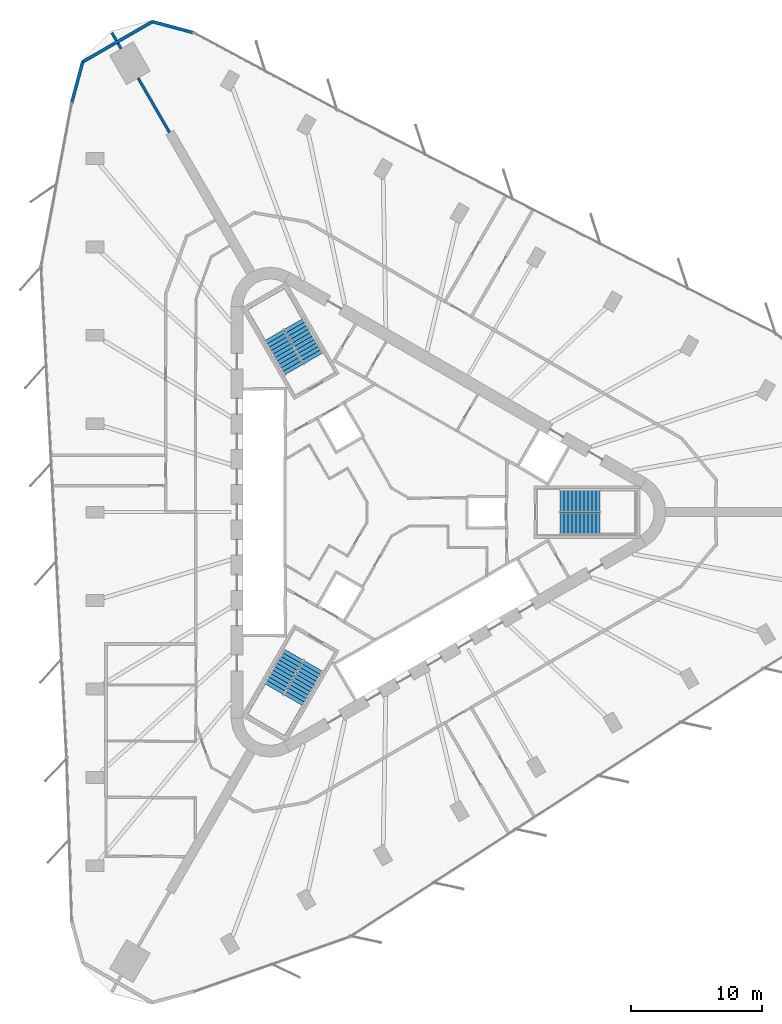
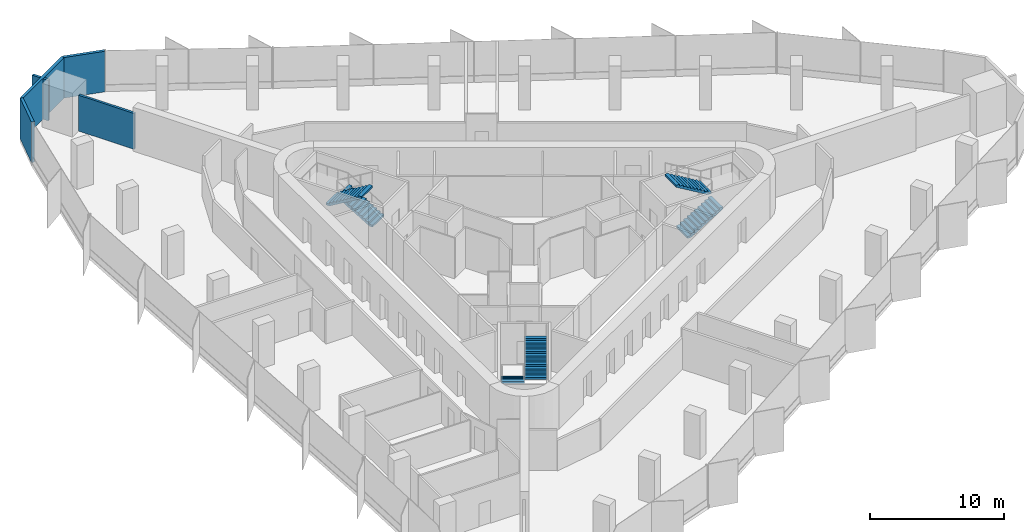
# One storey, part 12 of 13: 6 stair flights, 6 walls, 3 elements without a shape of their own.
"""IFC4 building model written with IfcOpenShell, lengths in metres."""

from ifc_helpers import new_model, si_unit, direction, frame, frame_2d, origin, place, context, subcontext, project, spatial, polyline, rectangle, outline, extrude, material, layer, layer_set, type_object, element, aggregate, save


model = new_model("IFC4")

# Units and contexts
model_context = context("Model", 3, precision=1e-05, world=origin(), true_north=direction((0.0, 1.0)))
body_context = subcontext(model_context, "Body", "Model", "MODEL_VIEW")
ifc_project = project(units=[si_unit("LENGTHUNIT", "METRE"), si_unit("AREAUNIT", "SQUARE_METRE"), si_unit("VOLUMEUNIT", "CUBIC_METRE"), si_unit("PLANEANGLEUNIT", "RADIAN"), si_unit("MASSUNIT", "GRAM", prefix="KILO")], contexts=[model_context])

# Site, building, storey
site_placement = place(None, origin())
site = spatial("IfcSite", under=ifc_project, at=site_placement, CompositionType="ELEMENT")
building_placement = place(site_placement, origin())
building = spatial("IfcBuilding", under=site, at=building_placement, Name="Tanit Gate Tower", CompositionType="ELEMENT")
storey_placement = place(building_placement, frame((0.0, 0.0, 173.199951171875)))
storey = spatial("IfcBuildingStorey", under=building, at=storey_placement, Name="L37", CompositionType="ELEMENT", Elevation=173.199951171875)

# Walls
ifc_material_1 = material(Name="Concrete C30/37 with bronze anodised aluminium cladding", Category="concrete")
ifc_layer_1 = layer(ifc_material_1, 0.239990234375)
ifc_layer_set_1 = layer_set([ifc_layer_1], Name="Facade wall bronze clad 240")
wall_type_1 = type_object("IfcWallType", Name="Facade wall bronze clad 240", PredefinedType="SOLIDWALL", material=ifc_layer_set_1)
wall_1_placement = place(storey_placement, frame((-15.01953125, 36.7353515625, 0.0), z_axis=(0.0, 0.0, 1.0), x_axis=(-0.965921607741, 0.258834788424, 0.0)))
element("IfcWall", 1, at=wall_1_placement, inside=storey, type_object=wall_type_1, Name="Bronze-clad facade wall L37 NW.arc1", PredefinedType="SOLIDWALL", context=body_context, shape_type="SweptSolid", body=[
    extrude(rectangle(XDim=3.214599609375, YDim=0.239990234375, at=frame_2d((1.607421875, 0.0))), origin(), (0.0, 0.0, 1.0), 3.699951171875),
])
wall_2_placement = place(storey_placement, frame((-18.12451171875, 37.5673828125, 0.0), z_axis=(0.0, 0.0, 1.0), x_axis=(-0.866030202489, -0.499991688307, 0.0)))
element("IfcWall", 2, at=wall_2_placement, inside=storey, type_object=wall_type_1, Name="Bronze-clad facade wall L37 NW.arc2", PredefinedType="SOLIDWALL", context=body_context, shape_type="SweptSolid", body=[
    extrude(rectangle(XDim=6.1748046875, YDim=0.239990234375, at=frame_2d((3.08740234375, 0.0))), origin(), (0.0, 0.0, 1.0), 3.699951171875),
])
wall_3_placement = place(storey_placement, frame((-23.47216796875, 34.47998046875, 0.0), z_axis=(0.0, 0.0, 1.0), x_axis=(-0.258770153522, -0.965938925423, 0.0)))
element("IfcWall", 3, at=wall_3_placement, inside=storey, type_object=wall_type_1, Name="Bronze-clad facade wall L37 NW.arc3", PredefinedType="SOLIDWALL", context=body_context, shape_type="SweptSolid", body=[
    extrude(rectangle(XDim=3.223876953125, YDim=0.239990234375, at=frame_2d((1.61181640625, 0.0))), origin(), (0.0, 0.0, 1.0), 3.699951171875),
])
ifc_material_2 = material(Name="Fire-rated gypsum board partition")
ifc_layer_2 = layer(ifc_material_2, 0.199951171875)
ifc_layer_set_2 = layer_set([ifc_layer_2], Name="INT-WALL-COMPARTMENT")
wall_type_2 = type_object("IfcWallType", Name="INT-WALL-COMPARTMENT", PredefinedType="PARTITIONING", material=ifc_layer_set_2)
wall_4_placement = place(storey_placement, frame((-16.8173828125, 29.068359375, 0.0), z_axis=(0.0, 0.0, 1.0), x_axis=(-0.499988695522, 0.866031930329, 0.0)))
element("IfcWall", 4, at=wall_4_placement, inside=storey, type_object=wall_type_2, Name="Wall Compartment W122", PredefinedType="PARTITIONING", context=body_context, shape_type="SweptSolid", body=[
    extrude(rectangle(XDim=4.8154296875, YDim=0.199951171875, at=frame_2d((2.40771484375, 0.0))), origin(), (0.0, 0.0, 1.0), 3.27001953125),
])
wall_5_placement = place(storey_placement, frame((-20.52490234375, 35.490234375, 0.0), z_axis=(0.0, 0.0, 1.0), x_axis=(-0.499869636591, 0.866100656052, 0.0)))
element("IfcWall", 5, at=wall_5_placement, inside=storey, type_object=wall_type_2, Name="Wall Compartment W121", PredefinedType="PARTITIONING", context=body_context, shape_type="SweptSolid", body=[
    extrude(rectangle(XDim=0.478759765625, YDim=0.199951171875, at=frame_2d((0.2392578125, 0.0))), origin(), (0.0, 0.0, 1.0), 3.699951171875),
])
wall_6_placement = place(storey_placement, frame((-20.88427734375, 36.112548828125, 0.0), z_axis=(0.0, 0.0, 1.0), x_axis=(-0.49989369433, 0.866086770693, 0.0)))
element("IfcWall", 6, at=wall_6_placement, inside=storey, type_object=wall_type_2, Name="Wall Compartment W121x1", PredefinedType="PARTITIONING", context=body_context, shape_type="SweptSolid", body=[
    extrude(rectangle(XDim=0.699462890625, YDim=0.199951171875, at=frame_2d((0.349609375, 0.0))), origin(), (0.0, 0.0, 1.0), 3.699951171875),
])

# Stair, stair flights
ifc_material_3 = material(Name="Concrete C40/50", Category="concrete")
stair_type = type_object("IfcStairType", Name="INT-STAIR-EXIT", PredefinedType="HALF_TURN_STAIR", material=ifc_material_3)
stair_1_placement = place(storey_placement, origin())
stair_1 = element("IfcStair", 7, at=stair_1_placement, inside=storey, type_object=stair_type, Name="L37 STAIR S1", PredefinedType="HALF_TURN_STAIR")
ifc_material_4 = material(Name="Concrete C40/50", Category="concrete")
stair_flight_type = type_object("IfcStairFlightType", Name="INT-STAIR-FLIGHT", PredefinedType="STRAIGHT", material=ifc_material_4)
stair_flight_1_placement = place(storey_placement, frame((13.094970703125, -0.8525390625, 0.0), z_axis=(0.0, 0.0, 1.0), x_axis=(1.0, 0.0, 0.0)))
stair_flight_1 = element("IfcStairFlight", 8, at=stair_flight_1_placement, type_object=stair_flight_type, Name="S1 flight 1", NumberOfRisers=11, NumberOfTreads=10, PredefinedType="STRAIGHT", RiserHeight=0.181818182, TreadLength=0.3051, context=body_context, shape_type="SweptSolid", body=[
    extrude(outline(polyline([(0.0, 0.0), (0.0, 0.181884765625), (0.30517578125, 0.181884765625), (0.30517578125, 0.363525390625), (0.610107421875, 0.363525390625), (0.610107421875, 0.54541015625), (0.915283203125, 0.54541015625), (0.915283203125, 0.727294921875), (1.220458984375, 0.727294921875), (1.220458984375, 0.9091796875), (1.525390625, 0.9091796875), (1.525390625, 1.0908203125), (1.83056640625, 1.0908203125), (1.83056640625, 1.272705078125), (2.1357421875, 1.272705078125), (2.1357421875, 1.45458984375), (2.44091796875, 1.45458984375), (2.44091796875, 1.636474609375), (2.745849609375, 1.636474609375), (2.745849609375, 1.818115234375), (3.051025390625, 1.818115234375), (3.051025390625, 2.0), (3.051025390625, 1.643798828125), (0.292724609375, 0.0), (0.0, 0.0)])), frame((0.0, 0.84765625, 0.0), z_axis=(0.0, -1.0, 0.0), x_axis=(1.0, 0.0, 0.0)), (0.0, 0.0, 1.0), 1.695068359375),
])
stair_flight_2_placement = place(storey_placement, frame((16.14599609375, 0.8525390625, 2.0), z_axis=(0.0, 0.0, 1.0), x_axis=(-1.0, 0.0, 0.0)))
stair_flight_2 = element("IfcStairFlight", 9, at=stair_flight_2_placement, type_object=stair_flight_type, Name="S1 flight 2", NumberOfRisers=11, NumberOfTreads=10, PredefinedType="STRAIGHT", RiserHeight=0.181818182, TreadLength=0.3051, context=body_context, shape_type="SweptSolid", body=[
    extrude(outline(polyline([(0.0, 0.0), (0.0, 0.181884765625), (0.30517578125, 0.181884765625), (0.30517578125, 0.363525390625), (0.610107421875, 0.363525390625), (0.610107421875, 0.54541015625), (0.915283203125, 0.54541015625), (0.915283203125, 0.727294921875), (1.220458984375, 0.727294921875), (1.220458984375, 0.9091796875), (1.525390625, 0.9091796875), (1.525390625, 1.0908203125), (1.83056640625, 1.0908203125), (1.83056640625, 1.272705078125), (2.1357421875, 1.272705078125), (2.1357421875, 1.45458984375), (2.44091796875, 1.45458984375), (2.44091796875, 1.636474609375), (2.745849609375, 1.636474609375), (2.745849609375, 1.818115234375), (3.051025390625, 1.818115234375), (3.051025390625, 2.0), (3.051025390625, 1.643798828125), (0.292724609375, 0.0), (0.0, 0.0)])), frame((0.0, 0.84765625, 0.0), z_axis=(0.0, -1.0, 0.0), x_axis=(1.0, 0.0, 0.0)), (0.0, 0.0, 1.0), 1.695068359375),
])
aggregate(stair_1, [stair_flight_1, stair_flight_2])

stair_2_placement = place(storey_placement, origin())
stair_2 = element("IfcStair", 10, at=stair_2_placement, inside=storey, type_object=stair_type, Name="L37 STAIR S2", PredefinedType="HALF_TURN_STAIR")
stair_flight_3_placement = place(storey_placement, frame((-5.808349609375, 11.766357421875, 0.0), z_axis=(0.0, 0.0, 1.0), x_axis=(-0.5, 0.866025403784, 0.0)))
stair_flight_3 = element("IfcStairFlight", 11, at=stair_flight_3_placement, type_object=stair_flight_type, Name="S2 flight 1", NumberOfRisers=11, NumberOfTreads=10, PredefinedType="STRAIGHT", RiserHeight=0.181818182, TreadLength=0.30492, context=body_context, shape_type="SweptSolid", body=[
    extrude(outline(polyline([(0.0, 0.0), (0.0, 0.181884765625), (0.304931640625, 0.181884765625), (0.304931640625, 0.363525390625), (0.60986328125, 0.363525390625), (0.60986328125, 0.54541015625), (0.914794921875, 0.54541015625), (0.914794921875, 0.727294921875), (1.2197265625, 0.727294921875), (1.2197265625, 0.9091796875), (1.524658203125, 0.9091796875), (1.524658203125, 1.0908203125), (1.82958984375, 1.0908203125), (1.82958984375, 1.272705078125), (2.134521484375, 1.272705078125), (2.134521484375, 1.45458984375), (2.439453125, 1.45458984375), (2.439453125, 1.636474609375), (2.744384765625, 1.636474609375), (2.744384765625, 1.818115234375), (3.04931640625, 1.818115234375), (3.04931640625, 2.0), (3.04931640625, 1.6435546875), (0.292724609375, 0.0), (0.0, 0.0)])), frame((0.0, 0.84716796875, 0.0), z_axis=(0.0, -1.0, 0.0), x_axis=(1.0, 0.0, 0.0)), (0.0, 0.0, 1.0), 1.694091796875),
])
stair_flight_4_placement = place(storey_placement, frame((-8.810302734375, 13.553955078125, 2.0), z_axis=(0.0, 0.0, 1.0), x_axis=(0.5, -0.866025403784, 0.0)))
stair_flight_4 = element("IfcStairFlight", 12, at=stair_flight_4_placement, type_object=stair_flight_type, Name="S2 flight 2", NumberOfRisers=11, NumberOfTreads=10, PredefinedType="STRAIGHT", RiserHeight=0.181818182, TreadLength=0.30492, context=body_context, shape_type="SweptSolid", body=[
    extrude(outline(polyline([(0.0, 0.0), (0.0, 0.181884765625), (0.304931640625, 0.181884765625), (0.304931640625, 0.363525390625), (0.60986328125, 0.363525390625), (0.60986328125, 0.54541015625), (0.914794921875, 0.54541015625), (0.914794921875, 0.727294921875), (1.2197265625, 0.727294921875), (1.2197265625, 0.9091796875), (1.524658203125, 0.9091796875), (1.524658203125, 1.0908203125), (1.82958984375, 1.0908203125), (1.82958984375, 1.272705078125), (2.134521484375, 1.272705078125), (2.134521484375, 1.45458984375), (2.439453125, 1.45458984375), (2.439453125, 1.636474609375), (2.744384765625, 1.636474609375), (2.744384765625, 1.818115234375), (3.04931640625, 1.818115234375), (3.04931640625, 2.0), (3.04931640625, 1.6435546875), (0.292724609375, 0.0), (0.0, 0.0)])), frame((0.0, 0.84716796875, 0.0), z_axis=(0.0, -1.0, 0.0), x_axis=(1.0, 0.0, 0.0)), (0.0, 0.0, 1.0), 1.694091796875),
])
aggregate(stair_2, [stair_flight_3, stair_flight_4])

stair_3_placement = place(storey_placement, origin())
stair_3 = element("IfcStair", 13, at=stair_3_placement, inside=storey, type_object=stair_type, Name="L37 STAIR S3", PredefinedType="HALF_TURN_STAIR")
stair_flight_5_placement = place(storey_placement, frame((-7.285888671875, -10.914306640625, 0.0), z_axis=(0.0, 0.0, 1.0), x_axis=(-0.5, -0.866025403784, 0.0)))
stair_flight_5 = element("IfcStairFlight", 14, at=stair_flight_5_placement, type_object=stair_flight_type, Name="S3 flight 1", NumberOfRisers=11, NumberOfTreads=10, PredefinedType="STRAIGHT", RiserHeight=0.181818182, TreadLength=0.3051, context=body_context, shape_type="SweptSolid", body=[
    extrude(outline(polyline([(0.0, 0.0), (0.0, 0.181884765625), (0.30517578125, 0.181884765625), (0.30517578125, 0.363525390625), (0.610107421875, 0.363525390625), (0.610107421875, 0.54541015625), (0.915283203125, 0.54541015625), (0.915283203125, 0.727294921875), (1.220458984375, 0.727294921875), (1.220458984375, 0.9091796875), (1.525390625, 0.9091796875), (1.525390625, 1.0908203125), (1.83056640625, 1.0908203125), (1.83056640625, 1.272705078125), (2.1357421875, 1.272705078125), (2.1357421875, 1.45458984375), (2.44091796875, 1.45458984375), (2.44091796875, 1.636474609375), (2.745849609375, 1.636474609375), (2.745849609375, 1.818115234375), (3.051025390625, 1.818115234375), (3.051025390625, 2.0), (3.051025390625, 1.643798828125), (0.292724609375, 0.0), (0.0, 0.0)])), frame((0.0, 0.84765625, 0.0), z_axis=(0.0, -1.0, 0.0), x_axis=(1.0, 0.0, 0.0)), (0.0, 0.0, 1.0), 1.695068359375),
])
stair_flight_6_placement = place(storey_placement, frame((-7.334716796875, -14.4091796875, 2.0), z_axis=(0.0, 0.0, 1.0), x_axis=(0.5, 0.866025403784, 0.0)))
stair_flight_6 = element("IfcStairFlight", 15, at=stair_flight_6_placement, type_object=stair_flight_type, Name="S3 flight 2", NumberOfRisers=11, NumberOfTreads=10, PredefinedType="STRAIGHT", RiserHeight=0.181818182, TreadLength=0.3051, context=body_context, shape_type="SweptSolid", body=[
    extrude(outline(polyline([(0.0, 0.0), (0.0, 0.181884765625), (0.30517578125, 0.181884765625), (0.30517578125, 0.363525390625), (0.610107421875, 0.363525390625), (0.610107421875, 0.54541015625), (0.915283203125, 0.54541015625), (0.915283203125, 0.727294921875), (1.220458984375, 0.727294921875), (1.220458984375, 0.9091796875), (1.525390625, 0.9091796875), (1.525390625, 1.0908203125), (1.83056640625, 1.0908203125), (1.83056640625, 1.272705078125), (2.1357421875, 1.272705078125), (2.1357421875, 1.45458984375), (2.44091796875, 1.45458984375), (2.44091796875, 1.636474609375), (2.745849609375, 1.636474609375), (2.745849609375, 1.818115234375), (3.051025390625, 1.818115234375), (3.051025390625, 2.0), (3.051025390625, 1.643798828125), (0.292724609375, 0.0), (0.0, 0.0)])), frame((0.0, 0.84765625, 0.0), z_axis=(0.0, -1.0, 0.0), x_axis=(1.0, 0.0, 0.0)), (0.0, 0.0, 1.0), 1.695068359375),
])
aggregate(stair_3, [stair_flight_5, stair_flight_6])

save(model, "model.ifc")
